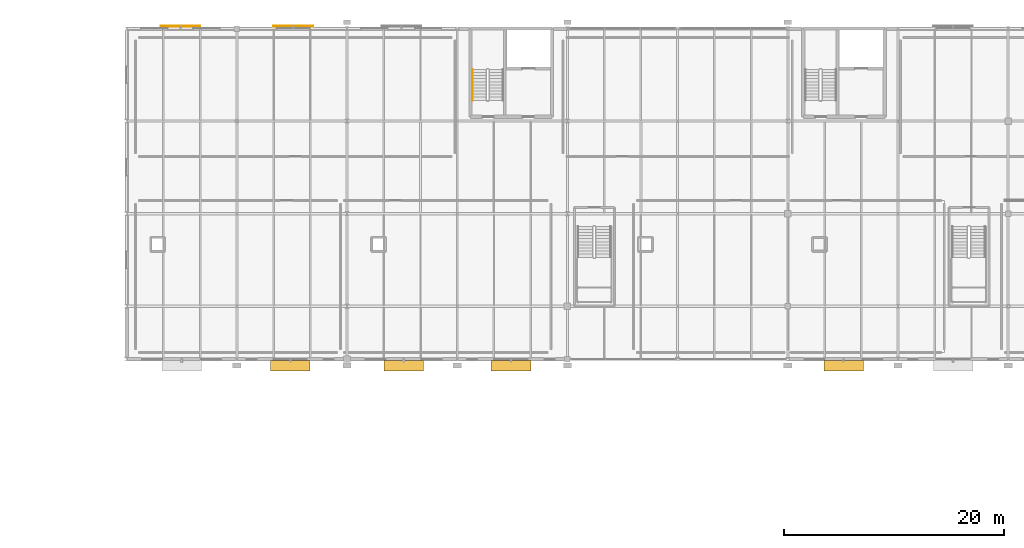
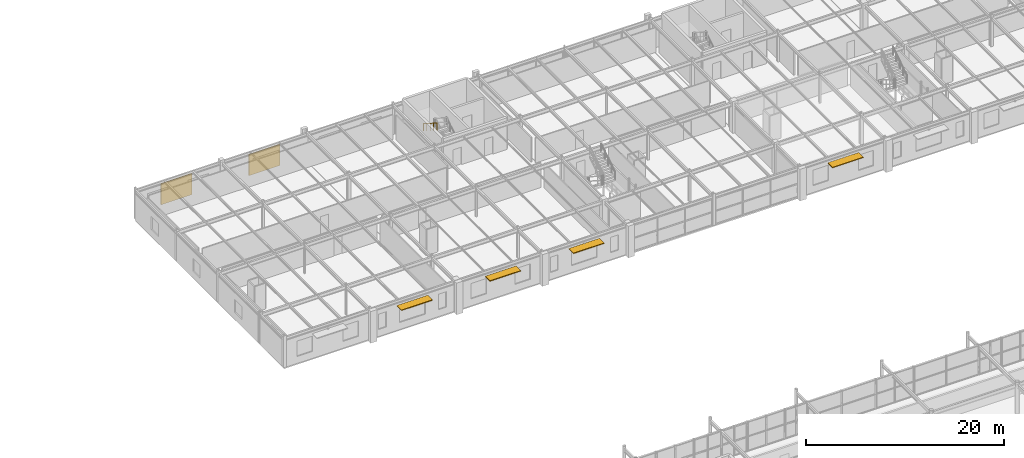
# One storey, part 93 of 98: 6 shading devices, 1 railing.
"""IFC4 building model written with IfcOpenShell, lengths in metres."""

import ifcopenshell
import ifcopenshell.guid

model = None  # the IFC model being written
_history = None  # IfcOwnerHistory: only IFC2X3 demands one
_inside = {}  # id of a spatial element -> (the spatial element, [elements in it])
_under = {}  # id of a project, library or spatial element -> (it, [spatial elements below it])
_declared = {}  # id of a project -> (the project, [libraries it declares])
_typed = {}  # id of a type object -> (the type object, [elements of that type])
_made_of = {}  # id of a material, layer set ... -> (it, [elements and type objects made of it])


def new_model(schema):
    """Start an empty IFC model of exactly this schema.

    Asked for "IFC4X3", IfcOpenShell would pick the latest addendum, in which some entities
    have other attributes; the version numbers below select the first issue.
    IFC2X3 requires an IfcOwnerHistory on every rooted entity: one is made here for all.
    """
    global model, _history
    if schema == "IFC4X3":
        model = ifcopenshell.file(schema_version=(4, 3, 0, 0))
    else:
        model = ifcopenshell.file(schema=schema)
    _inside.clear()
    _under.clear()
    _declared.clear()
    _typed.clear()
    _made_of.clear()
    _history = None
    if model.schema == "IFC2X3":
        org = make("IfcOrganization", Name="unknown")
        user = make(
            "IfcPersonAndOrganization",
            ThePerson=make("IfcPerson", FamilyName="unknown"),
            TheOrganization=org,
        )
        app = make(
            "IfcApplication",
            ApplicationDeveloper=org,
            Version="unknown",
            ApplicationFullName="unknown",
            ApplicationIdentifier="unknown",
        )
        _history = make(
            "IfcOwnerHistory",
            OwningUser=user,
            OwningApplication=app,
            ChangeAction="ADDED",
            CreationDate=0,
        )
    return model


def make(cls, **values):
    """One entity of the class cls with the attributes given. An attribute that is None is left unset."""
    return model.create_entity(
        cls, **{name: value for name, value in values.items() if value is not None}
    )


def rooted(cls, **values):
    """An entity with a GlobalId (a new one), such as an element, a storey or a relation."""
    return make(cls, GlobalId=ifcopenshell.guid.new(), OwnerHistory=_history, **values)


def si_unit(unit_type, name, prefix=None):
    """IfcSIUnit, for example si_unit("LENGTHUNIT", "METRE", prefix="MILLI")."""
    return make("IfcSIUnit", UnitType=unit_type, Prefix=prefix, Name=name)


def derived_unit(unit_type, elements):
    """IfcDerivedUnit: a product of units, each with its exponent."""
    return make(
        "IfcDerivedUnit",
        Elements=[
            make("IfcDerivedUnitElement", Unit=unit, Exponent=power)
            for unit, power in elements
        ],
        UnitType=unit_type,
    )


def assignment(units):
    """IfcUnitAssignment: the units of a project."""
    return None if units is None else make("IfcUnitAssignment", Units=units)


def point(xyz):
    """IfcCartesianPoint."""
    return None if xyz is None else make("IfcCartesianPoint", Coordinates=xyz)


def direction(xyz):
    """IfcDirection."""
    return None if xyz is None else make("IfcDirection", DirectionRatios=xyz)


def frame(location, z_axis=None, x_axis=None):
    """IfcAxis2Placement3D, a coordinate frame: its origin and axes. An axis left out is left unset."""
    return make(
        "IfcAxis2Placement3D",
        Location=point(location),
        Axis=direction(z_axis),
        RefDirection=direction(x_axis),
    )


def frame_2d(location, x_axis=None):
    """IfcAxis2Placement2D, a coordinate frame in the plane: its origin and x axis."""
    return make(
        "IfcAxis2Placement2D", Location=point(location), RefDirection=direction(x_axis)
    )


def origin():
    """The frame at (0, 0, 0) with its axes left unset."""
    return frame((0.0, 0.0, 0.0))


def origin_2d_with_axis():
    """The frame at (0, 0) in the plane with the x axis (1, 0) written out."""
    return frame_2d((0.0, 0.0), x_axis=(1.0, 0.0))


def place(relative_to, where):
    """IfcLocalPlacement: puts the frame where relative to a parent placement (None: the world)."""
    return make(
        "IfcLocalPlacement", PlacementRelTo=relative_to, RelativePlacement=where
    )


def context(
    kind, dimensions, precision=None, world=None, true_north=None, identifier=None
):
    """IfcGeometricRepresentationContext, for example the 3D "Model" context."""
    return make(
        "IfcGeometricRepresentationContext",
        ContextIdentifier=identifier,
        ContextType=kind,
        CoordinateSpaceDimension=dimensions,
        Precision=precision,
        WorldCoordinateSystem=world,
        TrueNorth=true_north,
    )


def subcontext(parent, identifier, kind, view, scale=None):
    """IfcGeometricRepresentationSubContext, for example "Body" below "Model"."""
    return make(
        "IfcGeometricRepresentationSubContext",
        ContextIdentifier=identifier,
        ContextType=kind,
        ParentContext=parent,
        TargetScale=scale,
        TargetView=view,
    )


def project(units=None, contexts=None):
    """IfcProject with its units and contexts."""
    return rooted(
        "IfcProject",
        Name="project",
        RepresentationContexts=contexts,
        UnitsInContext=assignment(units),
    )


def spatial(cls, under=None, at=None, **own):
    """A site, building, storey or space (cls), placed at a placement, below another one or the project."""
    s = rooted(cls, ObjectPlacement=at, **own)
    if under is not None:
        _under.setdefault(under.id(), (under, []))[1].append(s)
    return s


def profile(cls, at=None, kind="AREA", **sizes):
    """A parametric profile (cls). Its sizes go by their IFC names, for example OverallWidth=200.0."""
    return make(cls, ProfileType=kind, Position=at, **sizes)


def rectangle(**sizes):
    """IfcRectangleProfileDef."""
    return profile("IfcRectangleProfileDef", **sizes)


def circle(**sizes):
    """IfcCircleProfileDef."""
    return profile("IfcCircleProfileDef", **sizes)


def extrude(swept, where, along, depth):
    """IfcExtrudedAreaSolid: the profile swept, set in the frame where, extruded along a direction by depth."""
    return make(
        "IfcExtrudedAreaSolid",
        SweptArea=swept,
        Position=where,
        ExtrudedDirection=direction(along),
        Depth=depth,
    )


def shape(context_of_items, identifier, shape_type, items):
    """IfcShapeRepresentation: the items that make up one representation, for example the "Body"."""
    return make(
        "IfcShapeRepresentation",
        ContextOfItems=context_of_items,
        RepresentationIdentifier=identifier,
        RepresentationType=shape_type,
        Items=items,
    )


def material(Name=None, Category=None):
    """IfcMaterial."""
    return make("IfcMaterial", Name=Name, Category=Category)


def layer(
    of_material, thickness, ventilated=None, Name=None, Category=None, Priority=None
):
    """IfcMaterialLayer: one layer of a wall or slab, of a material (None: an air gap)."""
    return make(
        "IfcMaterialLayer",
        Material=of_material,
        LayerThickness=thickness,
        IsVentilated=ventilated,
        Name=Name,
        Category=Category,
        Priority=Priority,
    )


def layer_set(layers, Name=None):
    """IfcMaterialLayerSet."""
    return make("IfcMaterialLayerSet", MaterialLayers=layers, LayerSetName=Name)


def made_of(thing, what):
    """Note that an element or type object is made of a material, layer set ...; save() writes the relation."""
    if what is not None:
        _made_of.setdefault(what.id(), (what, []))[1].append(thing)
    return thing


def type_object(cls, material=None, **own):
    """A type object (cls), such as IfcWallType, which elements share."""
    return made_of(rooted(cls, **own), material)


def element(
    cls,
    number,
    at=None,
    inside=None,
    cuts=None,
    type_object=None,
    material=None,
    context=None,
    identifier="Body",
    shape_type=None,
    held_by="IfcProductDefinitionShape",
    body=None,
    shapes=None,
    **own,
):
    """One element of the class cls, such as IfcWall. Its Tag is "e" and its number.

    at: its placement. inside: the storey or other place that contains it. cuts: it is an
    opening in that element (IfcRelVoidsElement). A single representation is given by context,
    identifier, shape_type and body (its items); several are given by shapes. held_by: the class
    of the entity that holds the representations. save() writes the other relations.
    """
    e = rooted(cls, Tag="e%d" % number, ObjectPlacement=at, **own)
    if body is not None:
        shapes = [shape(context, identifier, shape_type, body)]
    if shapes is not None:
        e.Representation = make(held_by, Representations=shapes)
    if inside is not None:
        _inside.setdefault(inside.id(), (inside, []))[1].append(e)
    if cuts is not None:
        rooted(
            "IfcRelVoidsElement", RelatingBuildingElement=cuts, RelatedOpeningElement=e
        )
    if type_object is not None:
        _typed.setdefault(type_object.id(), (type_object, []))[1].append(e)
    return made_of(e, material)


def aggregate(whole, parts):
    """IfcRelAggregates: a whole, such as a stair, and the parts it consists of."""
    return rooted("IfcRelAggregates", RelatingObject=whole, RelatedObjects=parts)


def save(model, path):
    """Write the relations noted so far, then the file.

    IfcRelAggregates (storeys below a building ...), IfcRelContainedInSpatialStructure (elements
    in a storey), IfcRelDefinesByType, IfcRelAssociatesMaterial and IfcRelDeclares: one each for
    every whole, place, type object, material and project.
    """
    for whole, parts in _under.values():
        aggregate(whole, parts)
    for where, things in _inside.values():
        rooted(
            "IfcRelContainedInSpatialStructure",
            RelatedElements=things,
            RelatingStructure=where,
        )
    for kind, things in _typed.values():
        rooted("IfcRelDefinesByType", RelatedObjects=things, RelatingType=kind)
    for what, things in _made_of.values():
        rooted("IfcRelAssociatesMaterial", RelatedObjects=things, RelatingMaterial=what)
    for by, libraries in _declared.values():
        rooted("IfcRelDeclares", RelatingContext=by, RelatedDefinitions=libraries)
    model.write(path)


model = new_model("IFC4")

# Units and contexts
model_context = context("Model", 3, precision=1e-05, world=origin(), true_north=direction((0.0, 1.0)))
body_context = subcontext(model_context, "Body", "Model", "MODEL_VIEW")
ifc_project = project(units=[si_unit("LENGTHUNIT", "METRE"), si_unit("AREAUNIT", "SQUARE_METRE"), si_unit("VOLUMEUNIT", "CUBIC_METRE"), si_unit("PLANEANGLEUNIT", "RADIAN"), si_unit("MASSUNIT", "GRAM", prefix="KILO"), derived_unit("THERMALTRANSMITTANCEUNIT", [(si_unit("POWERUNIT", "WATT"), 1), (si_unit("LENGTHUNIT", "METRE"), -2), (si_unit("THERMODYNAMICTEMPERATUREUNIT", "KELVIN"), -1)])], contexts=[model_context])

# Site, building, storey
site_placement = place(None, origin())
site = spatial("IfcSite", under=ifc_project, at=site_placement, CompositionType="ELEMENT")
building_placement = place(site_placement, origin())
building = spatial("IfcBuilding", under=site, at=building_placement, Name="Cinnabar Yard Market Hall", CompositionType="ELEMENT")
storey_placement = place(building_placement, frame((0.0, 0.0, 4.5)))
storey = spatial("IfcBuildingStorey", under=building, at=storey_placement, Name="L01", CompositionType="ELEMENT", Elevation=4.5)

# Railing
ifc_material_1 = material(Name="Brushed stainless steel handrail", Category="steel")
ifc_layer = layer(ifc_material_1, 0.050048828125)
ifc_layer_set = layer_set([ifc_layer], Name="Brushed stainless steel handrail")
railing_type = type_object("IfcRailingType", Name="RL-HR1", PredefinedType="HANDRAIL", material=ifc_layer_set)
railing_placement = place(storey_placement, frame((97.389892578125, 134.2900390625, 2.127197265625)))
element("IfcRailing", 1, at=railing_placement, inside=storey, type_object=railing_type, Name="L01 ST-C5 stair handrail 2", PredefinedType="HANDRAIL", context=body_context, shape_type="SweptSolid", body=[
    extrude(circle(Radius=0.02392578125, at=origin_2d_with_axis()), frame((0.0, 0.0, 0.8759765625), z_axis=(0.0, -0.844908973607, 0.534910110503), x_axis=(1.0, 0.0, 0.0)), (0.0, 0.0, 1.0), 3.31396484375),
    extrude(circle(Radius=0.02099609375, at=origin_2d_with_axis()), origin(), (0.0, 0.0, 1.0), 0.851806640625),
    extrude(circle(Radius=0.02099609375, at=origin_2d_with_axis()), frame((0.0, -0.699951171875, 0.443115234375)), (0.0, 0.0, 1.0), 0.851806640625),
    extrude(circle(Radius=0.02099609375, at=origin_2d_with_axis()), frame((0.0, -1.39990234375, 0.88623046875)), (0.0, 0.0, 1.0), 0.851806640625),
    extrude(circle(Radius=0.02099609375, at=origin_2d_with_axis()), frame((0.0, -2.10009765625, 1.32958984375)), (0.0, 0.0, 1.0), 0.851806640625),
    extrude(circle(Radius=0.02099609375, at=origin_2d_with_axis()), frame((0.0, -2.800048828125, 1.772705078125)), (0.0, 0.0, 1.0), 0.851806640625),
])

# Shading devices
ifc_material_2 = material(Name="Projecting sandstone-clad steel chhajja hood", Category="masonry")
shading_device_type_1 = type_object("IfcShadingDeviceType", Name="SHD-CHJ1", PredefinedType="SHUTTER", material=ifc_material_2)
for number, where, z_axis, x_axis, name in (
    (2, (80.85302734375, 107.39990234375, 2.96484375), (0.0, 0.0, 1.0), (1.0, 0.0, 0.0), "Wing South Chhajja Hood L01 Bay 2"),
    (3, (91.14697265625, 107.39990234375, 2.96484375), (0.0, 0.0, 1.0), (1.0, 0.0, 0.0), "Wing South Chhajja Hood L01 Bay 3"),
    (4, (100.8779296875, 107.39990234375, 2.96484375), (0.0, 0.0, 1.0), (1.0, 0.0, 0.0), "Wing South Chhajja Hood L01 Bay 4"),
    (5, (131.060302734375, 107.39990234375, 2.96484375), (0.0, 0.0, 1.0), (1.0, 0.0, 0.0), "Wing South Chhajja Hood L01 Bay 7"),
):
    element("IfcShadingDevice", number, at=place(storey_placement, frame(where, z_axis=z_axis, x_axis=x_axis)), inside=storey, type_object=shading_device_type_1, Name=name, PredefinedType="SHUTTER", context=body_context, shape_type="SweptSolid", body=[
        extrude(rectangle(XDim=3.60009765625, YDim=0.949951171875, at=origin_2d_with_axis()), origin(), (0.0, 0.0, 1.0), 0.090087890625),
    ])
ifc_material_3 = material(Name="Perforated weathering bronze aluminium jali screen", Category="aluminium")
shading_device_type_2 = type_object("IfcShadingDeviceType", Name="SHD-JALI1", PredefinedType="JALOUSIE", material=ifc_material_3)
for number, where, z_axis, x_axis, name in (
    (6, (70.8779296875, 138.219970703125, 0.550048828125), (0.0, 0.0, 1.0), (1.0, 0.0, 0.0), "Wing North Jali Screen L01 Bay 1"),
    (7, (81.1220703125, 138.219970703125, 0.550048828125), (0.0, 0.0, 1.0), (1.0, 0.0, 0.0), "Wing North Jali Screen L01 Bay 2"),
):
    element("IfcShadingDevice", number, at=place(storey_placement, frame(where, z_axis=z_axis, x_axis=x_axis)), inside=storey, type_object=shading_device_type_2, Name=name, PredefinedType="JALOUSIE", context=body_context, shape_type="SweptSolid", body=[
        extrude(rectangle(XDim=3.60009765625, YDim=0.080078125, at=origin_2d_with_axis()), origin(), (0.0, 0.0, 1.0), 2.60009765625),
    ])

save(model, "model.ifc")
